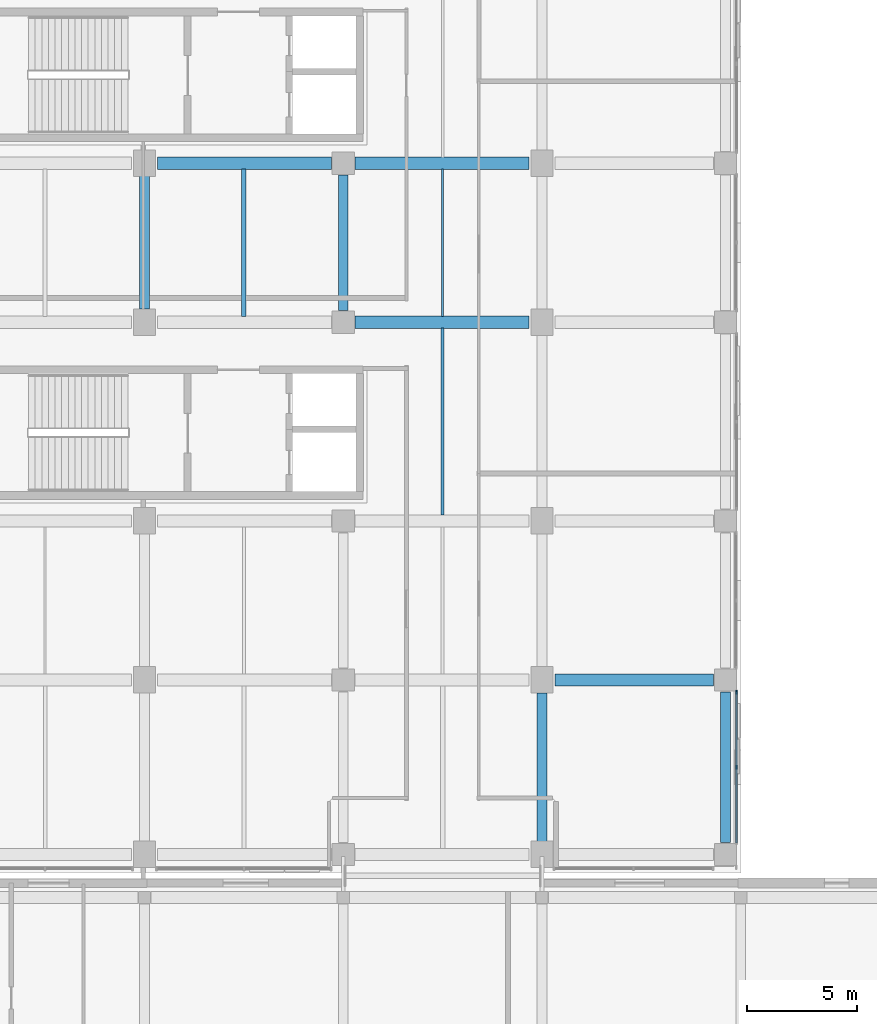
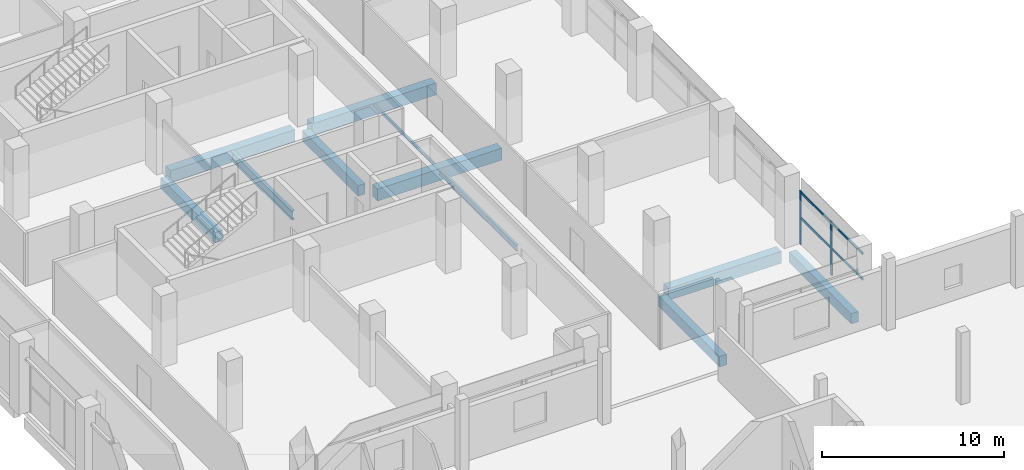
# One storey, part 11 of 111: 11 beams, 4 members, 1 element without a shape of its own.
"""IFC4 building model written with IfcOpenShell, lengths in metres."""

from ifc_helpers import new_model, si_unit, direction, frame, origin, origin_2d, place, context, subcontext, project, spatial, rectangle, hollow_rectangle, i_section, extrude, material, material_profile, profile_set, type_object, element, aggregate, save


model = new_model("IFC4")

# Units and contexts
model_context = context("Model", 3, precision=1e-05, world=origin(), true_north=direction((0.0, 1.0)))
body_context = subcontext(model_context, "Body", "Model", "MODEL_VIEW")
ifc_project = project(units=[si_unit("LENGTHUNIT", "METRE"), si_unit("AREAUNIT", "SQUARE_METRE"), si_unit("VOLUMEUNIT", "CUBIC_METRE"), si_unit("PLANEANGLEUNIT", "RADIAN"), si_unit("MASSUNIT", "GRAM", prefix="KILO"), si_unit("THERMODYNAMICTEMPERATUREUNIT", "KELVIN"), si_unit("POWERUNIT", "WATT")], contexts=[model_context])

# Site, building, storey
site_placement = place(None, origin())
site = spatial("IfcSite", under=ifc_project, at=site_placement, CompositionType="ELEMENT")
building_placement = place(site_placement, origin())
building = spatial("IfcBuilding", under=site, at=building_placement, Name="Sindhuravela Promenade Stadium", CompositionType="ELEMENT")
storey_placement = place(building_placement, frame((0.0, 0.0, 9.60009765625)))
storey = spatial("IfcBuildingStorey", under=building, at=storey_placement, Name="L02", CompositionType="ELEMENT", Elevation=9.60009765625)

# Curtain wall, members
ifc_material_1 = material(Name="Anodised architectural aluminium 6063-T6", Category="aluminium")
curtain_wall_type = type_object("IfcCurtainWallType", Name="CW-MOD-1", PredefinedType="NOTDEFINED", material=ifc_material_1)
curtain_wall_placement = place(storey_placement, origin())
curtain_wall = element("IfcCurtainWall", 1, at=curtain_wall_placement, inside=storey, type_object=curtain_wall_type, Name="Bronze curtain wall CW-WEST-L02-024", PredefinedType="NOTDEFINED")
ifc_material_profile_1 = material_profile(ifc_material_1, rectangle(XDim=0.074951171875, YDim=0.175048828125, at=origin_2d()), Name="ALU MULL 75x175")
ifc_profile_set_1 = profile_set([ifc_material_profile_1], Name="Anodised architectural aluminium 6063-T6")
member_type_1 = type_object("IfcMemberType", Name="CW-MUL-1", PredefinedType="MULLION", material=ifc_profile_set_1)
member_1_placement = place(storey_placement, frame((44.800048828125, 44.449951171875, 0.0), z_axis=(0.0, 0.0, 1.0), x_axis=(1.0, 0.0, 0.0)))
member_1 = element("IfcMember", 2, at=member_1_placement, type_object=member_type_1, Name="Curtain wall mullion CW-WEST-L02-024-M1", PredefinedType="MULLION", context=body_context, shape_type="SweptSolid", body=[
    extrude(rectangle(XDim=0.074951171875, YDim=0.175048828125, at=origin_2d()), origin(), (0.0, 0.0, 1.0), 3.579833984375),
])
member_2_placement = place(storey_placement, frame((44.800048828125, 41.050048828125, 0.0), z_axis=(0.0, 0.0, 1.0), x_axis=(1.0, 0.0, 0.0)))
member_2 = element("IfcMember", 3, at=member_2_placement, type_object=member_type_1, Name="Curtain wall mullion CW-WEST-L02-024-M2", PredefinedType="MULLION", context=body_context, shape_type="SweptSolid", body=[
    extrude(rectangle(XDim=0.074951171875, YDim=0.175048828125, at=origin_2d()), origin(), (0.0, 0.0, 1.0), 3.579833984375),
])
ifc_material_profile_2 = material_profile(ifc_material_1, rectangle(XDim=0.074951171875, YDim=0.14990234375, at=origin_2d()), Name="ALU TRAN 75x150")
ifc_profile_set_2 = profile_set([ifc_material_profile_2], Name="Anodised architectural aluminium 6063-T6")
member_type_2 = type_object("IfcMemberType", Name="CW-TRN-1", PredefinedType="USERDEFINED", material=ifc_profile_set_2)
member_3_placement = place(storey_placement, frame((44.800048828125, 44.47509765625, 1.789794921875), z_axis=(0.0, -1.0, 0.0), x_axis=(1.0, 0.0, 0.0)))
member_3 = element("IfcMember", 4, at=member_3_placement, type_object=member_type_2, Name="Curtain wall transom CW-WEST-L02-024-T1", ObjectType="TRANSOM", PredefinedType="USERDEFINED", context=body_context, shape_type="SweptSolid", body=[
    extrude(rectangle(XDim=0.074951171875, YDim=0.14990234375, at=origin_2d()), origin(), (0.0, 0.0, 1.0), 6.85009765625),
])
member_4_placement = place(storey_placement, frame((44.800048828125, 44.47509765625, 3.5), z_axis=(0.0, -1.0, 0.0), x_axis=(1.0, 0.0, 0.0)))
member_4 = element("IfcMember", 5, at=member_4_placement, type_object=member_type_2, Name="Curtain wall transom CW-WEST-L02-024-T2", ObjectType="TRANSOM", PredefinedType="USERDEFINED", context=body_context, shape_type="SweptSolid", body=[
    extrude(rectangle(XDim=0.074951171875, YDim=0.14990234375, at=origin_2d()), origin(), (0.0, 0.0, 1.0), 6.85009765625),
])
aggregate(curtain_wall, [member_1, member_2, member_3, member_4])

# Beams
ifc_material_2 = material(Name="Concrete M40", Category="concrete")
ifc_material_profile_3 = material_profile(ifc_material_2, rectangle(XDim=0.449951171875, YDim=0.699951171875, at=origin_2d()), Name="RC 450x700")
ifc_profile_set_3 = profile_set([ifc_material_profile_3], Name="Concrete M40")
beam_type_1 = type_object("IfcBeamType", Name="RC-BM-450x700", PredefinedType="BEAM", material=ifc_profile_set_3)
beam_1_placement = place(storey_placement, frame((18.0, 61.7900390625, -0.630126953125), z_axis=(0.0, 1.0, 0.0), x_axis=(-1.0, 0.0, 0.0)))
element("IfcBeam", 6, at=beam_1_placement, inside=storey, type_object=beam_type_1, Name="Primary beam GB07 WEST L02", PredefinedType="BEAM", context=body_context, shape_type="SweptSolid", body=[
    extrude(rectangle(XDim=0.449951171875, YDim=0.699951171875, at=origin_2d()), origin(), (0.0, 0.0, 1.0), 6.02001953125),
])
beam_2_placement = place(storey_placement, frame((27.0, 61.739990234375, -0.630126953125), z_axis=(0.0, 1.0, 0.0), x_axis=(-1.0, 0.0, 0.0)))
element("IfcBeam", 7, at=beam_2_placement, inside=storey, type_object=beam_type_1, Name="Primary beam GB07 WEST L02", PredefinedType="BEAM", context=body_context, shape_type="SweptSolid", body=[
    extrude(rectangle(XDim=0.449951171875, YDim=0.699951171875, at=origin_2d()), origin(), (0.0, 0.0, 1.0), 6.1201171875),
])
beam_3_placement = place(storey_placement, frame((36.0, 37.68994140625, -0.630126953125), z_axis=(0.0, 1.0, 0.0), x_axis=(-1.0, 0.0, 0.0)))
element("IfcBeam", 8, at=beam_3_placement, inside=storey, type_object=beam_type_1, Name="Primary beam GB07 WEST L02", PredefinedType="BEAM", context=body_context, shape_type="SweptSolid", body=[
    extrude(rectangle(XDim=0.449951171875, YDim=0.699951171875, at=origin_2d()), origin(), (0.0, 0.0, 1.0), 6.719970703125),
])
beam_4_placement = place(storey_placement, frame((44.300048828125, 37.639892578125, -0.630126953125), z_axis=(0.0, 1.0, 0.0), x_axis=(-1.0, 0.0, 0.0)))
element("IfcBeam", 9, at=beam_4_placement, inside=storey, type_object=beam_type_1, Name="Primary beam GB07 WEST L02", PredefinedType="BEAM", context=body_context, shape_type="SweptSolid", body=[
    extrude(rectangle(XDim=0.449951171875, YDim=0.699951171875, at=origin_2d()), origin(), (0.0, 0.0, 1.0), 6.820068359375),
])
ifc_material_profile_4 = material_profile(ifc_material_2, rectangle(XDim=0.550048828125, YDim=0.800048828125, at=origin_2d()), Name="RC 550x800")
ifc_profile_set_4 = profile_set([ifc_material_profile_4], Name="Concrete M40")
beam_type_2 = type_object("IfcBeamType", Name="RC-BM-550x800", PredefinedType="BEAM", material=ifc_profile_set_4)
beam_5_placement = place(storey_placement, frame((36.590087890625, 45.0, -0.68017578125), z_axis=(1.0, 0.0, 0.0), x_axis=(0.0, 1.0, 0.0)))
element("IfcBeam", 10, at=beam_5_placement, inside=storey, type_object=beam_type_2, Name="Primary girder GB05 WEST L02", PredefinedType="BEAM", context=body_context, shape_type="SweptSolid", body=[
    extrude(rectangle(XDim=0.550048828125, YDim=0.800048828125, at=origin_2d()), origin(), (0.0, 0.0, 1.0), 7.169921875),
])
for number, where, z_axis, x_axis, name in (
    (11, (27.5400390625, 61.199951171875, -0.68017578125), (1.0, 0.0, 0.0), (0.0, 1.0, 0.0), "Primary girder GB05 WEST L02"),
    (12, (18.590087890625, 68.39990234375, -0.68017578125), (1.0, 0.0, 0.0), (0.0, 1.0, 0.0), "Primary girder GB05 WEST L02"),
    (13, (27.5400390625, 68.39990234375, -0.68017578125), (1.0, 0.0, 0.0), (0.0, 1.0, 0.0), "Primary girder GB05 WEST L02"),
):
    element("IfcBeam", number, at=place(storey_placement, frame(where, z_axis=z_axis, x_axis=x_axis)), inside=storey, type_object=beam_type_2, Name=name, PredefinedType="BEAM", context=body_context, shape_type="SweptSolid", body=[
        extrude(rectangle(XDim=0.550048828125, YDim=0.800048828125, at=origin_2d()), origin(), (0.0, 0.0, 1.0), 7.869873046875),
    ])
ifc_material_3 = material(Name="Steel E350 (IS 2062 E350BR)", Category="steel")
ifc_material_profile_5 = material_profile(ifc_material_3, hollow_rectangle(XDim=0.10009765625, YDim=0.199951171875, WallThickness=0.008056640625, at=origin_2d()), Name="RHS 200x100x8")
ifc_profile_set_5 = profile_set([ifc_material_profile_5], Name="Steel E350 (IS 2062 E350BR)")
beam_type_3 = type_object("IfcBeamType", Name="ST-BM-LNT200", PredefinedType="LINTEL", material=ifc_profile_set_5)
beam_6_placement = place(storey_placement, frame((31.5, 61.465087890625, -0.380126953125), z_axis=(0.0, 1.0, 0.0), x_axis=(-1.0, 0.0, 0.0)))
element("IfcBeam", 14, at=beam_6_placement, inside=storey, type_object=beam_type_3, Name="Secondary floor joist LN01 WEST L02", PredefinedType="LINTEL", context=body_context, shape_type="SweptSolid", body=[
    extrude(hollow_rectangle(XDim=0.10009765625, YDim=0.199951171875, WallThickness=0.008056640625, at=origin_2d()), origin(), (0.0, 0.0, 1.0), 6.669921875),
])
ifc_material_profile_6 = material_profile(ifc_material_3, i_section(OverallWidth=0.139892578125, OverallDepth=0.39990234375, WebThickness=0.0087890625, FlangeThickness=0.01611328125, FilletRadius=0.013916015625, at=origin_2d()), Name="ISMB 400")
ifc_profile_set_6 = profile_set([ifc_material_profile_6], Name="Steel E350 (IS 2062 E350BR)")
beam_type_4 = type_object("IfcBeamType", Name="ST-BM-MB400", PredefinedType="BEAM", material=ifc_profile_set_6)
beam_7_placement = place(storey_placement, frame((31.5, 52.465087890625, -0.47998046875), z_axis=(0.0, 1.0, 0.0), x_axis=(-1.0, 0.0, 0.0)))
element("IfcBeam", 15, at=beam_7_placement, inside=storey, type_object=beam_type_4, Name="Secondary floor joist SB05 WEST L02", PredefinedType="BEAM", context=body_context, shape_type="SweptSolid", body=[
    extrude(i_section(OverallWidth=0.139892578125, OverallDepth=0.39990234375, WebThickness=0.0087890625, FlangeThickness=0.01611328125, FilletRadius=0.013916015625, at=origin_2d()), origin(), (0.0, 0.0, 1.0), 8.469970703125),
])
ifc_material_profile_7 = material_profile(ifc_material_3, i_section(OverallWidth=0.2099609375, OverallDepth=0.60009765625, WebThickness=0.011962890625, FlangeThickness=0.020751953125, FilletRadius=0.02001953125, at=origin_2d()), Name="ISMB 600")
ifc_profile_set_7 = profile_set([ifc_material_profile_7], Name="Steel E350 (IS 2062 E350BR)")
beam_type_5 = type_object("IfcBeamType", Name="ST-BM-MB600", PredefinedType="BEAM", material=ifc_profile_set_7)
beam_8_placement = place(storey_placement, frame((22.5, 61.465087890625, -0.580078125), z_axis=(0.0, 1.0, 0.0), x_axis=(-1.0, 0.0, 0.0)))
element("IfcBeam", 16, at=beam_8_placement, inside=storey, type_object=beam_type_5, Name="Secondary floor joist SB09 WEST L02", PredefinedType="BEAM", context=body_context, shape_type="SweptSolid", body=[
    extrude(i_section(OverallWidth=0.2099609375, OverallDepth=0.60009765625, WebThickness=0.011962890625, FlangeThickness=0.020751953125, FilletRadius=0.02001953125, at=origin_2d()), origin(), (0.0, 0.0, 1.0), 6.669921875),
])

save(model, "model.ifc")
